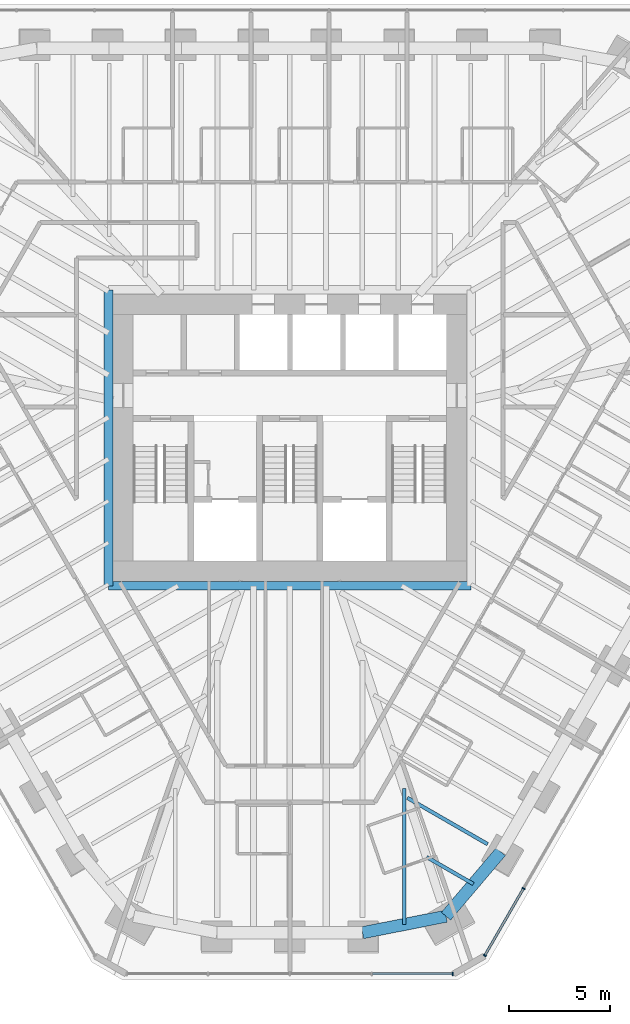
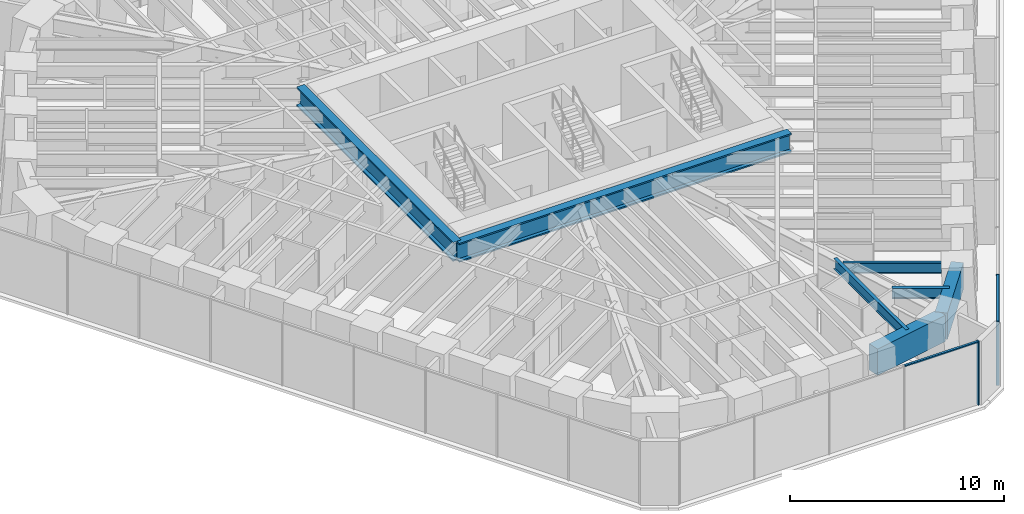
# One storey, part 4 of 17: 7 beams, 5 members, 2 elements without a shape of their own.
"""IFC4 building model written with IfcOpenShell, lengths in metres."""

import ifcopenshell
import ifcopenshell.guid

model = None  # the IFC model being written
_history = None  # IfcOwnerHistory: only IFC2X3 demands one
_inside = {}  # id of a spatial element -> (the spatial element, [elements in it])
_under = {}  # id of a project, library or spatial element -> (it, [spatial elements below it])
_declared = {}  # id of a project -> (the project, [libraries it declares])
_typed = {}  # id of a type object -> (the type object, [elements of that type])
_made_of = {}  # id of a material, layer set ... -> (it, [elements and type objects made of it])


def new_model(schema):
    """Start an empty IFC model of exactly this schema.

    Asked for "IFC4X3", IfcOpenShell would pick the latest addendum, in which some entities
    have other attributes; the version numbers below select the first issue.
    IFC2X3 requires an IfcOwnerHistory on every rooted entity: one is made here for all.
    """
    global model, _history
    if schema == "IFC4X3":
        model = ifcopenshell.file(schema_version=(4, 3, 0, 0))
    else:
        model = ifcopenshell.file(schema=schema)
    _inside.clear()
    _under.clear()
    _declared.clear()
    _typed.clear()
    _made_of.clear()
    _history = None
    if model.schema == "IFC2X3":
        org = make("IfcOrganization", Name="unknown")
        user = make(
            "IfcPersonAndOrganization",
            ThePerson=make("IfcPerson", FamilyName="unknown"),
            TheOrganization=org,
        )
        app = make(
            "IfcApplication",
            ApplicationDeveloper=org,
            Version="unknown",
            ApplicationFullName="unknown",
            ApplicationIdentifier="unknown",
        )
        _history = make(
            "IfcOwnerHistory",
            OwningUser=user,
            OwningApplication=app,
            ChangeAction="ADDED",
            CreationDate=0,
        )
    return model


def make(cls, **values):
    """One entity of the class cls with the attributes given. An attribute that is None is left unset."""
    return model.create_entity(
        cls, **{name: value for name, value in values.items() if value is not None}
    )


def rooted(cls, **values):
    """An entity with a GlobalId (a new one), such as an element, a storey or a relation."""
    return make(cls, GlobalId=ifcopenshell.guid.new(), OwnerHistory=_history, **values)


def si_unit(unit_type, name, prefix=None):
    """IfcSIUnit, for example si_unit("LENGTHUNIT", "METRE", prefix="MILLI")."""
    return make("IfcSIUnit", UnitType=unit_type, Prefix=prefix, Name=name)


def assignment(units):
    """IfcUnitAssignment: the units of a project."""
    return None if units is None else make("IfcUnitAssignment", Units=units)


def point(xyz):
    """IfcCartesianPoint."""
    return None if xyz is None else make("IfcCartesianPoint", Coordinates=xyz)


def direction(xyz):
    """IfcDirection."""
    return None if xyz is None else make("IfcDirection", DirectionRatios=xyz)


def frame(location, z_axis=None, x_axis=None):
    """IfcAxis2Placement3D, a coordinate frame: its origin and axes. An axis left out is left unset."""
    return make(
        "IfcAxis2Placement3D",
        Location=point(location),
        Axis=direction(z_axis),
        RefDirection=direction(x_axis),
    )


def frame_2d(location, x_axis=None):
    """IfcAxis2Placement2D, a coordinate frame in the plane: its origin and x axis."""
    return make(
        "IfcAxis2Placement2D", Location=point(location), RefDirection=direction(x_axis)
    )


def origin():
    """The frame at (0, 0, 0) with its axes left unset."""
    return frame((0.0, 0.0, 0.0))


def origin_2d():
    """The frame at (0, 0) in the plane with its x axis left unset."""
    return frame_2d((0.0, 0.0))


def place(relative_to, where):
    """IfcLocalPlacement: puts the frame where relative to a parent placement (None: the world)."""
    return make(
        "IfcLocalPlacement", PlacementRelTo=relative_to, RelativePlacement=where
    )


def context(
    kind, dimensions, precision=None, world=None, true_north=None, identifier=None
):
    """IfcGeometricRepresentationContext, for example the 3D "Model" context."""
    return make(
        "IfcGeometricRepresentationContext",
        ContextIdentifier=identifier,
        ContextType=kind,
        CoordinateSpaceDimension=dimensions,
        Precision=precision,
        WorldCoordinateSystem=world,
        TrueNorth=true_north,
    )


def subcontext(parent, identifier, kind, view, scale=None):
    """IfcGeometricRepresentationSubContext, for example "Body" below "Model"."""
    return make(
        "IfcGeometricRepresentationSubContext",
        ContextIdentifier=identifier,
        ContextType=kind,
        ParentContext=parent,
        TargetScale=scale,
        TargetView=view,
    )


def project(units=None, contexts=None):
    """IfcProject with its units and contexts."""
    return rooted(
        "IfcProject",
        Name="project",
        RepresentationContexts=contexts,
        UnitsInContext=assignment(units),
    )


def spatial(cls, under=None, at=None, **own):
    """A site, building, storey or space (cls), placed at a placement, below another one or the project."""
    s = rooted(cls, ObjectPlacement=at, **own)
    if under is not None:
        _under.setdefault(under.id(), (under, []))[1].append(s)
    return s


def profile(cls, at=None, kind="AREA", **sizes):
    """A parametric profile (cls). Its sizes go by their IFC names, for example OverallWidth=200.0."""
    return make(cls, ProfileType=kind, Position=at, **sizes)


def rectangle(**sizes):
    """IfcRectangleProfileDef."""
    return profile("IfcRectangleProfileDef", **sizes)


def i_section(**sizes):
    """IfcIShapeProfileDef."""
    return profile("IfcIShapeProfileDef", **sizes)


def extrude(swept, where, along, depth):
    """IfcExtrudedAreaSolid: the profile swept, set in the frame where, extruded along a direction by depth."""
    return make(
        "IfcExtrudedAreaSolid",
        SweptArea=swept,
        Position=where,
        ExtrudedDirection=direction(along),
        Depth=depth,
    )


def shape(context_of_items, identifier, shape_type, items):
    """IfcShapeRepresentation: the items that make up one representation, for example the "Body"."""
    return make(
        "IfcShapeRepresentation",
        ContextOfItems=context_of_items,
        RepresentationIdentifier=identifier,
        RepresentationType=shape_type,
        Items=items,
    )


def material(Name=None, Category=None):
    """IfcMaterial."""
    return make("IfcMaterial", Name=Name, Category=Category)


def material_profile(
    of_material, cross_section, Name=None, Category=None, Priority=None
):
    """IfcMaterialProfile: a cross section and its material."""
    return make(
        "IfcMaterialProfile",
        Name=Name,
        Material=of_material,
        Profile=cross_section,
        Priority=Priority,
        Category=Category,
    )


def profile_set(profiles, Name=None, composite=None):
    """IfcMaterialProfileSet."""
    return make(
        "IfcMaterialProfileSet",
        Name=Name,
        MaterialProfiles=profiles,
        CompositeProfile=composite,
    )


def made_of(thing, what):
    """Note that an element or type object is made of a material, layer set ...; save() writes the relation."""
    if what is not None:
        _made_of.setdefault(what.id(), (what, []))[1].append(thing)
    return thing


def type_object(cls, material=None, **own):
    """A type object (cls), such as IfcWallType, which elements share."""
    return made_of(rooted(cls, **own), material)


def element(
    cls,
    number,
    at=None,
    inside=None,
    cuts=None,
    type_object=None,
    material=None,
    context=None,
    identifier="Body",
    shape_type=None,
    held_by="IfcProductDefinitionShape",
    body=None,
    shapes=None,
    **own,
):
    """One element of the class cls, such as IfcWall. Its Tag is "e" and its number.

    at: its placement. inside: the storey or other place that contains it. cuts: it is an
    opening in that element (IfcRelVoidsElement). A single representation is given by context,
    identifier, shape_type and body (its items); several are given by shapes. held_by: the class
    of the entity that holds the representations. save() writes the other relations.
    """
    e = rooted(cls, Tag="e%d" % number, ObjectPlacement=at, **own)
    if body is not None:
        shapes = [shape(context, identifier, shape_type, body)]
    if shapes is not None:
        e.Representation = make(held_by, Representations=shapes)
    if inside is not None:
        _inside.setdefault(inside.id(), (inside, []))[1].append(e)
    if cuts is not None:
        rooted(
            "IfcRelVoidsElement", RelatingBuildingElement=cuts, RelatedOpeningElement=e
        )
    if type_object is not None:
        _typed.setdefault(type_object.id(), (type_object, []))[1].append(e)
    return made_of(e, material)


def aggregate(whole, parts):
    """IfcRelAggregates: a whole, such as a stair, and the parts it consists of."""
    return rooted("IfcRelAggregates", RelatingObject=whole, RelatedObjects=parts)


def save(model, path):
    """Write the relations noted so far, then the file.

    IfcRelAggregates (storeys below a building ...), IfcRelContainedInSpatialStructure (elements
    in a storey), IfcRelDefinesByType, IfcRelAssociatesMaterial and IfcRelDeclares: one each for
    every whole, place, type object, material and project.
    """
    for whole, parts in _under.values():
        aggregate(whole, parts)
    for where, things in _inside.values():
        rooted(
            "IfcRelContainedInSpatialStructure",
            RelatedElements=things,
            RelatingStructure=where,
        )
    for kind, things in _typed.values():
        rooted("IfcRelDefinesByType", RelatedObjects=things, RelatingType=kind)
    for what, things in _made_of.values():
        rooted("IfcRelAssociatesMaterial", RelatedObjects=things, RelatingMaterial=what)
    for by, libraries in _declared.values():
        rooted("IfcRelDeclares", RelatingContext=by, RelatedDefinitions=libraries)
    model.write(path)


model = new_model("IFC4")

# Units and contexts
model_context = context("Model", 3, precision=1e-05, world=origin(), true_north=direction((0.0, 1.0)))
body_context = subcontext(model_context, "Body", "Model", "MODEL_VIEW")
ifc_project = project(units=[si_unit("LENGTHUNIT", "METRE"), si_unit("AREAUNIT", "SQUARE_METRE"), si_unit("VOLUMEUNIT", "CUBIC_METRE"), si_unit("PLANEANGLEUNIT", "RADIAN"), si_unit("MASSUNIT", "GRAM", prefix="KILO")], contexts=[model_context])

# Site, building, storey
site_placement = place(None, origin())
site = spatial("IfcSite", under=ifc_project, at=site_placement, CompositionType="ELEMENT")
building_placement = place(site_placement, origin())
building = spatial("IfcBuilding", under=site, at=building_placement, Name="Sandreach Pilgrim Tower", CompositionType="ELEMENT")
storey_placement = place(building_placement, frame((0.0, 0.0, 240.199951171875)))
storey = spatial("IfcBuildingStorey", under=building, at=storey_placement, Name="L60", CompositionType="ELEMENT", Elevation=240.199951171875)

# Curtain wall, members
ifc_material_1 = material(Name="Aluminium framed curtain wall", Category="aluminium")
curtain_wall_type = type_object("IfcCurtainWallType", Name="Upper hotel tower curtain wall", PredefinedType="NOTDEFINED", material=ifc_material_1)
curtain_wall_1_placement = place(storey_placement, origin())
curtain_wall_1 = element("IfcCurtainWall", 1, at=curtain_wall_1_placement, inside=storey, type_object=curtain_wall_type, Name="CW-3 L60 SE", PredefinedType="NOTDEFINED")
ifc_material_2 = material(Name="Aluminium extrusion", Category="aluminium")
ifc_material_profile_1 = material_profile(ifc_material_2, rectangle(XDim=0.06494140625, YDim=0.159912109375, at=origin_2d()), Name="CW-3M 65X160")
ifc_profile_set_1 = profile_set([ifc_material_profile_1], Name="Aluminium extrusion")
member_type_1 = type_object("IfcMemberType", Name="CW-3 mullion", PredefinedType="MULLION", material=ifc_profile_set_1)
member_1_placement = place(storey_placement, frame((11.5625, -22.29345703125, 0.0), z_axis=(0.0, 0.0, 1.0), x_axis=(-0.5, -0.866025403784, 0.0)))
member_1 = element("IfcMember", 2, at=member_1_placement, type_object=member_type_1, Name="CW-3 mullion 9", PredefinedType="MULLION", context=body_context, shape_type="SweptSolid", body=[
    extrude(rectangle(XDim=0.06494140625, YDim=0.159912109375, at=origin_2d()), origin(), (0.0, 0.0, 1.0), 3.64013671875),
])
member_2_placement = place(storey_placement, frame((9.646484375, -25.612060546875, 0.0), z_axis=(0.0, 0.0, 1.0), x_axis=(-0.5, -0.866025403784, 0.0)))
member_2 = element("IfcMember", 3, at=member_2_placement, type_object=member_type_1, Name="CW-3 mullion 10", PredefinedType="MULLION", context=body_context, shape_type="SweptSolid", body=[
    extrude(rectangle(XDim=0.06494140625, YDim=0.159912109375, at=origin_2d()), origin(), (0.0, 0.0, 1.0), 3.64013671875),
])

# Curtain wall, member
curtain_wall_2_placement = place(storey_placement, origin())
curtain_wall_2 = element("IfcCurtainWall", 4, at=curtain_wall_2_placement, inside=storey, type_object=curtain_wall_type, Name="CW-3 L60 S", PredefinedType="NOTDEFINED")
member_3_placement = place(storey_placement, frame((8.06494140625, -26.525146484375, 0.0), z_axis=(0.0, 0.0, 1.0), x_axis=(-1.0, 0.0, 0.0)))
member_3 = element("IfcMember", 5, at=member_3_placement, type_object=member_type_1, Name="CW-3 mullion 1", PredefinedType="MULLION", context=body_context, shape_type="SweptSolid", body=[
    extrude(rectangle(XDim=0.06494140625, YDim=0.159912109375, at=origin_2d()), origin(), (0.0, 0.0, 1.0), 3.64013671875),
])

# Member
ifc_material_3 = material(Name="Aluminium extrusion", Category="aluminium")
ifc_material_profile_2 = material_profile(ifc_material_3, rectangle(XDim=0.1201171875, YDim=0.070068359375, at=origin_2d()), Name="CW-3T 120X70")
ifc_profile_set_2 = profile_set([ifc_material_profile_2], Name="Aluminium extrusion")
member_type_2 = type_object("IfcMemberType", Name="CW-3 transom", PredefinedType="USERDEFINED", material=ifc_profile_set_2)
member_4_placement = place(storey_placement, frame((11.546142578125, -22.321533203125, 3.60498046875), z_axis=(-0.499973055223, -0.8660409598, 0.0), x_axis=(0.8660409598, -0.499973055223, 0.0)))
member_4 = element("IfcMember", 6, at=member_4_placement, type_object=member_type_2, Name="CW-3 head transom 9", ObjectType="TRANSOM", PredefinedType="USERDEFINED", context=body_context, shape_type="SweptSolid", body=[
    extrude(rectangle(XDim=0.1201171875, YDim=0.070068359375, at=origin_2d()), origin(), (0.0, 0.0, 1.0), 3.766845703125),
])

aggregate(curtain_wall_1, [member_1, member_2, member_4])

member_5_placement = place(storey_placement, frame((8.032470703125, -26.525146484375, 3.60498046875), z_axis=(-1.0, 0.0, 0.0), x_axis=(0.0, -1.0, 0.0)))
member_5 = element("IfcMember", 7, at=member_5_placement, type_object=member_type_2, Name="CW-3 head transom 1", ObjectType="TRANSOM", PredefinedType="USERDEFINED", context=body_context, shape_type="SweptSolid", body=[
    extrude(rectangle(XDim=0.1201171875, YDim=0.070068359375, at=origin_2d()), origin(), (0.0, 0.0, 1.0), 3.951171875),
])

aggregate(curtain_wall_2, [member_3, member_5])

# Beams
ifc_material_4 = material(Name="Steel ASTM A992 Grade 50", Category="steel")
ifc_material_profile_3 = material_profile(ifc_material_4, i_section(OverallWidth=0.424072265625, OverallDepth=1.09228515625, WebThickness=0.04541015625, FlangeThickness=0.08203125, at=origin_2d()), Name="W40X593")
ifc_profile_set_3 = profile_set([ifc_material_profile_3], Name="Steel ASTM A992 Grade 50")
beam_type_1 = type_object("IfcBeamType", Name="Core edge beam W40X593", PredefinedType="BEAM", material=ifc_profile_set_3)
beam_1_placement = place(storey_placement, frame((8.97216796875, -7.322021484375, 3.093994140625), z_axis=(-1.0, 0.0, 0.0), x_axis=(0.0, -1.0, 0.0)))
element("IfcBeam", 8, at=beam_1_placement, inside=storey, type_object=beam_type_1, Name="BM L60 CES", PredefinedType="BEAM", context=body_context, shape_type="SweptSolid", body=[
    extrude(i_section(OverallWidth=0.424072265625, OverallDepth=1.09228515625, WebThickness=0.04541015625, FlangeThickness=0.08203125, at=origin_2d()), origin(), (0.0, 0.0, 1.0), 17.9443359375),
])
beam_2_placement = place(storey_placement, frame((-8.97216796875, -7.322021484375, 3.093994140625), z_axis=(0.0, 1.0, 0.0), x_axis=(-1.0, 0.0, 0.0)))
element("IfcBeam", 9, at=beam_2_placement, inside=storey, type_object=beam_type_1, Name="BM L60 CEW", PredefinedType="BEAM", context=body_context, shape_type="SweptSolid", body=[
    extrude(i_section(OverallWidth=0.424072265625, OverallDepth=1.09228515625, WebThickness=0.04541015625, FlangeThickness=0.08203125, at=origin_2d()), origin(), (0.0, 0.0, 1.0), 14.64404296875),
])
ifc_material_5 = material(Name="Steel ASTM A992 Grade 50", Category="steel")
ifc_material_profile_4 = material_profile(ifc_material_5, i_section(OverallWidth=0.1787109375, OverallDepth=0.60205078125, WebThickness=0.010986328125, FlangeThickness=0.014892578125, at=origin_2d()), Name="W24X62")
ifc_profile_set_4 = profile_set([ifc_material_profile_4], Name="Steel ASTM A992 Grade 50")
beam_type_2 = type_object("IfcBeamType", Name="Floor beam W24X62", PredefinedType="BEAM", material=ifc_profile_set_4)
beam_3_placement = place(storey_placement, frame((9.785400390625, -20.105224609375, 3.339111328125), z_axis=(-0.866025975094, 0.499999010461, 0.0), x_axis=(-0.499999010461, -0.866025975094, 0.0)))
element("IfcBeam", 10, at=beam_3_placement, inside=storey, type_object=beam_type_2, Name="BM L60 F21", PredefinedType="BEAM", context=body_context, shape_type="SweptSolid", body=[
    extrude(i_section(OverallWidth=0.1787109375, OverallDepth=0.60205078125, WebThickness=0.010986328125, FlangeThickness=0.014892578125, at=origin_2d()), origin(), (0.0, 0.0, 1.0), 4.5849609375),
])
beam_4_placement = place(storey_placement, frame((9.08056640625, -22.0751953125, 3.339111328125), z_axis=(-0.865981341435, 0.500076310463, 0.0), x_axis=(-0.500076310463, -0.865981341435, 0.0)))
element("IfcBeam", 11, at=beam_4_placement, inside=storey, type_object=beam_type_2, Name="BM L60 FM21", PredefinedType="BEAM", context=body_context, shape_type="SweptSolid", body=[
    extrude(i_section(OverallWidth=0.1787109375, OverallDepth=0.60205078125, WebThickness=0.010986328125, FlangeThickness=0.014892578125, at=origin_2d()), origin(), (0.0, 0.0, 1.0), 2.66748046875),
])
beam_5_placement = place(storey_placement, frame((5.6611328125, -24.078125, 3.339111328125), z_axis=(0.0, 1.0, 0.0), x_axis=(-1.0, 0.0, 0.0)))
element("IfcBeam", 12, at=beam_5_placement, inside=storey, type_object=beam_type_2, Name="BM L60 FM22", PredefinedType="BEAM", context=body_context, shape_type="SweptSolid", body=[
    extrude(i_section(OverallWidth=0.1787109375, OverallDepth=0.60205078125, WebThickness=0.010986328125, FlangeThickness=0.014892578125, at=origin_2d()), origin(), (0.0, 0.0, 1.0), 6.735107421875),
])
ifc_material_6 = material(Name="Concrete 10000 psi", Category="concrete")
ifc_material_profile_5 = material_profile(ifc_material_6, rectangle(XDim=0.60009765625, YDim=1.5, at=origin_2d()), Name="RC600X1500")
ifc_profile_set_5 = profile_set([ifc_material_profile_5], Name="Concrete 10000 psi")
beam_type_3 = type_object("IfcBeamType", Name="Spandrel beam RC600X1500", PredefinedType="SPANDREL", material=ifc_profile_set_5)
beam_6_placement = place(storey_placement, frame((10.434814453125, -20.480224609375, 2.89013671875), z_axis=(-0.64723338076, -0.762291906575, 0.0), x_axis=(0.762291906575, -0.64723338076, 0.0)))
element("IfcBeam", 13, at=beam_6_placement, inside=storey, type_object=beam_type_3, Name="BM L60 SP21", PredefinedType="SPANDREL", context=body_context, shape_type="SweptSolid", body=[
    extrude(rectangle(XDim=0.60009765625, YDim=1.5, at=origin_2d()), origin(), (0.0, 0.0, 1.0), 4.184326171875),
])
beam_7_placement = place(storey_placement, frame((7.7265625, -23.669921875, 2.89013671875), z_axis=(-0.981021961384, -0.193896651035, 0.0), x_axis=(0.193896651035, -0.981021961384, 0.0)))
element("IfcBeam", 14, at=beam_7_placement, inside=storey, type_object=beam_type_3, Name="BM L60 SP22", PredefinedType="SPANDREL", context=body_context, shape_type="SweptSolid", body=[
    extrude(rectangle(XDim=0.60009765625, YDim=1.5, at=origin_2d()), origin(), (0.0, 0.0, 1.0), 4.21044921875),
])

save(model, "model.ifc")
